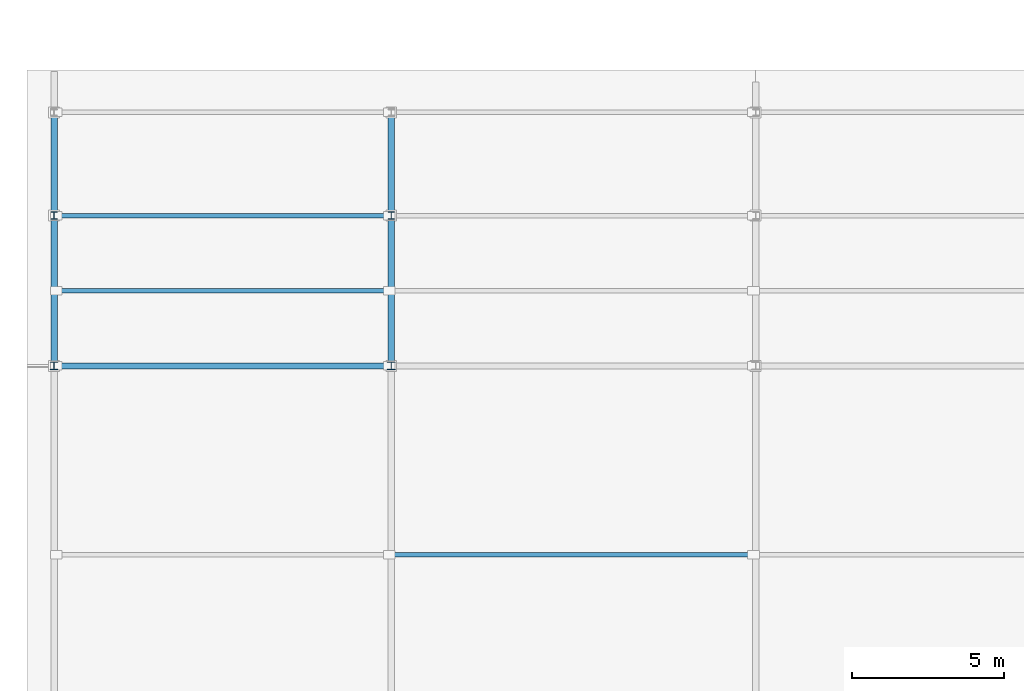
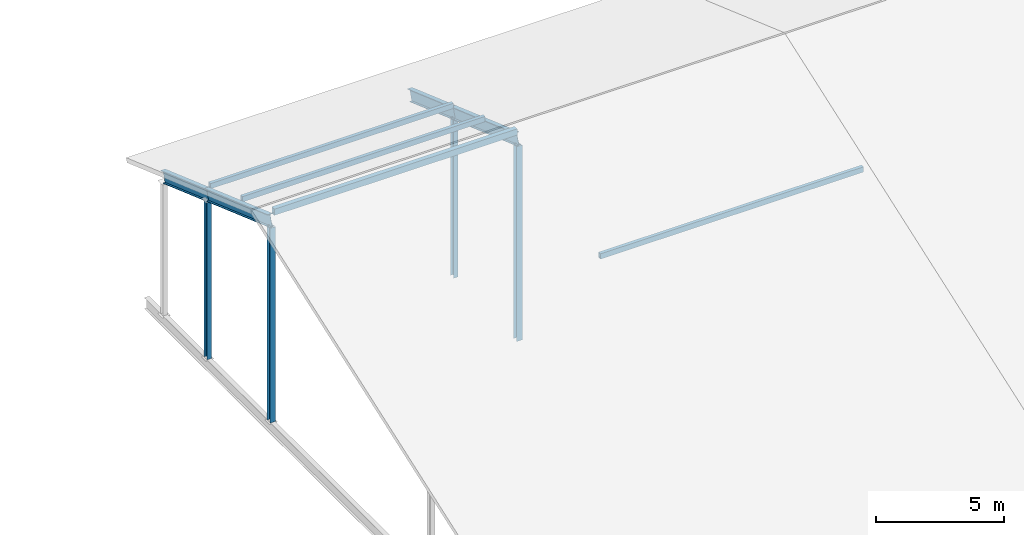
# One storey, part 5 of 42: 8 members, 4 beams.
"""IFC4 building model written with IfcOpenShell, lengths in metres."""

from ifc_helpers import new_model, si_unit, direction, frame, origin, origin_2d, place, context, subcontext, project, spatial, hollow_rectangle, i_section, extrude, material, material_profile, profile_set, type_object, element, save


model = new_model("IFC4")

# Units and contexts
model_context = context("Model", 3, precision=1e-05, world=origin(), true_north=direction((0.0, 1.0)))
body_context = subcontext(model_context, "Body", "Model", "MODEL_VIEW")
ifc_project = project(units=[si_unit("LENGTHUNIT", "METRE"), si_unit("AREAUNIT", "SQUARE_METRE"), si_unit("VOLUMEUNIT", "CUBIC_METRE"), si_unit("PLANEANGLEUNIT", "RADIAN"), si_unit("MASSUNIT", "GRAM", prefix="KILO")], contexts=[model_context])

# Site, building, storey
site_placement = place(None, origin())
site = spatial("IfcSite", under=ifc_project, at=site_placement, CompositionType="ELEMENT")
building_placement = place(site_placement, origin())
building = spatial("IfcBuilding", under=site, at=building_placement, Name="Kelmvaro Bay Concert Hall", CompositionType="ELEMENT")
storey_placement = place(building_placement, frame((0.0, 0.0, 26.699951171875)))
storey = spatial("IfcBuildingStorey", under=building, at=storey_placement, Name="RF", CompositionType="ELEMENT", Elevation=26.699951171875)

# Members
ifc_material_1 = material(Name="Steel ASTM A992 Grade 50", Category="steel")
ifc_material_profile_1 = material_profile(ifc_material_1, i_section(OverallWidth=0.25390625, OverallDepth=0.25390625, WebThickness=0.008544921875, FlangeThickness=0.01416015625, at=origin_2d()), Name="W10X49")
ifc_profile_set_1 = profile_set([ifc_material_profile_1], Name="Steel ASTM A992 Grade 50")
member_type_1 = type_object("IfcMemberType", Name="Crystal Crown King Post W10x49", PredefinedType="STRUT", material=ifc_profile_set_1)
for number, where, z_axis, x_axis, name in (
    (1, (0.89990234375, 29.25, -12.9150390625), (0.0, 0.0, 1.0), (1.0, 0.0, 0.0), "V3 Crystal Roof Post 003"),
    (2, (12.0, 29.25, -12.9150390625), (0.0, 0.0, 1.0), (1.0, 0.0, 0.0), "V3 Crystal Roof Post 008"),
):
    element("IfcMember", number, at=place(storey_placement, frame(where, z_axis=z_axis, x_axis=x_axis)), inside=storey, type_object=member_type_1, Name=name, PredefinedType="STRUT", context=body_context, shape_type="SweptSolid", body=[
        extrude(i_section(OverallWidth=0.25390625, OverallDepth=0.25390625, WebThickness=0.008544921875, FlangeThickness=0.01416015625, at=origin_2d()), origin(), (0.0, 0.0, 1.0), 9.271240234375),
    ])
ifc_material_2 = material(Name="Steel ASTM A992 Grade 50", Category="steel")
ifc_material_profile_2 = material_profile(ifc_material_2, i_section(OverallWidth=0.201904296875, OverallDepth=0.2470703125, WebThickness=0.00732421875, FlangeThickness=0.010986328125, at=origin_2d()), Name="W10X33")
ifc_profile_set_2 = profile_set([ifc_material_profile_2], Name="Steel ASTM A992 Grade 50")
member_type_2 = type_object("IfcMemberType", Name="Crystal Crown Queen Post W10x33", PredefinedType="STRUT", material=ifc_profile_set_2)
for number, where, z_axis, x_axis, name in (
    (3, (0.89990234375, 34.199951171875, -12.9150390625), (0.0, 0.0, 1.0), (1.0, 0.0, 0.0), "V3 Crystal Roof Post 004"),
    (4, (12.0, 34.199951171875, -12.9150390625), (0.0, 0.0, 1.0), (1.0, 0.0, 0.0), "V3 Crystal Roof Post 009"),
):
    element("IfcMember", number, at=place(storey_placement, frame(where, z_axis=z_axis, x_axis=x_axis)), inside=storey, type_object=member_type_2, Name=name, PredefinedType="STRUT", context=body_context, shape_type="SweptSolid", body=[
        extrude(i_section(OverallWidth=0.201904296875, OverallDepth=0.2470703125, WebThickness=0.00732421875, FlangeThickness=0.010986328125, at=origin_2d()), origin(), (0.0, 0.0, 1.0), 7.518310546875),
    ])
ifc_material_3 = material(Name="Steel ASTM A500 Grade C", Category="steel")
ifc_material_profile_3 = material_profile(ifc_material_3, hollow_rectangle(XDim=0.14990234375, YDim=0.25, WallThickness=0.010009765625, at=origin_2d()), Name="HSS250X150X10")
ifc_profile_set_3 = profile_set([ifc_material_profile_3], Name="Steel ASTM A500 Grade C")
member_type_3 = type_object("IfcMemberType", Name="Crystal Roof Mid Purlin HSS250x150x10", PredefinedType="PURLIN", material=ifc_profile_set_3)
member_1_placement = place(storey_placement, frame((12.0849609375, 23.02490234375, -5.1982421875), z_axis=(1.0, 0.0, 0.0), x_axis=(0.0, 1.0, 0.0)))
element("IfcMember", 5, at=member_1_placement, inside=storey, type_object=member_type_3, Name="V3 Crystal Roof Purlin 014", PredefinedType="PURLIN", context=body_context, shape_type="SweptSolid", body=[
    extrude(hollow_rectangle(XDim=0.14990234375, YDim=0.25, WallThickness=0.010009765625, at=origin_2d()), origin(), (0.0, 0.0, 1.0), 11.830078125),
])
for number, where, z_axis, x_axis, name in (
    (6, (0.985107421875, 31.72509765625, -3.8701171875), (1.0, 0.0, 0.0), (0.0, 1.0, 0.0), "V3 Crystal Roof Purlin 021"),
    (7, (0.985107421875, 34.199951171875, -4.74658203125), (1.0, 0.0, 0.0), (0.0, 1.0, 0.0), "V3 Crystal Roof Purlin 025"),
):
    element("IfcMember", number, at=place(storey_placement, frame(where, z_axis=z_axis, x_axis=x_axis)), inside=storey, type_object=member_type_3, Name=name, PredefinedType="PURLIN", context=body_context, shape_type="SweptSolid", body=[
        extrude(hollow_rectangle(XDim=0.14990234375, YDim=0.25, WallThickness=0.010009765625, at=origin_2d()), origin(), (0.0, 0.0, 1.0), 10.929931640625),
    ])
ifc_material_4 = material(Name="Steel ASTM A500 Grade C", Category="steel")
ifc_material_profile_4 = material_profile(ifc_material_4, hollow_rectangle(XDim=0.199951171875, YDim=0.300048828125, WallThickness=0.012451171875, at=origin_2d()), Name="HSS300X200X12")
ifc_profile_set_4 = profile_set([ifc_material_profile_4], Name="Steel ASTM A500 Grade C")
member_type_4 = type_object("IfcMemberType", Name="Crystal Roof Ridge Purlin HSS300x200x12", PredefinedType="PURLIN", material=ifc_profile_set_4)
member_2_placement = place(storey_placement, frame((0.985107421875, 29.25, -2.96875), z_axis=(1.0, 0.0, 0.0), x_axis=(0.0, 1.0, 0.0)))
element("IfcMember", 8, at=member_2_placement, inside=storey, type_object=member_type_4, Name="V3 Crystal Roof Purlin 017", PredefinedType="PURLIN", context=body_context, shape_type="SweptSolid", body=[
    extrude(hollow_rectangle(XDim=0.199951171875, YDim=0.300048828125, WallThickness=0.012451171875, at=origin_2d()), origin(), (0.0, 0.0, 1.0), 10.929931640625),
])

# Beams
ifc_material_5 = material(Name="Steel ASTM A992 Grade 50", Category="steel")
ifc_material_profile_5 = material_profile(ifc_material_5, i_section(OverallWidth=0.2119140625, OverallDepth=0.5439453125, WebThickness=0.01318359375, FlangeThickness=0.021240234375, at=origin_2d()), Name="W21X83")
ifc_profile_set_5 = profile_set([ifc_material_profile_5], Name="Steel ASTM A992 Grade 50")
beam_type = type_object("IfcBeamType", Name="Crystal Roof Sloped Rafter W21x83", PredefinedType="BEAM", material=ifc_profile_set_5)
beam_1_placement = place(storey_placement, frame((0.89990234375, 29.25, -3.38671875), z_axis=(0.0, 0.94263789306, -0.333817019589), x_axis=(-1.0, 0.0, 0.0)))
element("IfcBeam", 9, at=beam_1_placement, inside=storey, type_object=beam_type, Name="V3 Crystal Roof Rafter 004", PredefinedType="BEAM", context=body_context, shape_type="SweptSolid", body=[
    extrude(i_section(OverallWidth=0.2119140625, OverallDepth=0.5439453125, WebThickness=0.01318359375, FlangeThickness=0.021240234375, at=origin_2d()), origin(), (0.0, 0.0, 1.0), 5.251220703125),
])
beam_2_placement = place(storey_placement, frame((0.89990234375, 34.199951171875, -5.1396484375), z_axis=(0.0, 0.942637430857, -0.333818324764), x_axis=(-1.0, 0.0, 0.0)))
element("IfcBeam", 10, at=beam_2_placement, inside=storey, type_object=beam_type, Name="V3 Crystal Roof Rafter 005", PredefinedType="BEAM", context=body_context, shape_type="SweptSolid", body=[
    extrude(i_section(OverallWidth=0.2119140625, OverallDepth=0.5439453125, WebThickness=0.01318359375, FlangeThickness=0.021240234375, at=origin_2d()), origin(), (0.0, 0.0, 1.0), 3.607177734375),
])
beam_3_placement = place(storey_placement, frame((12.0, 29.25, -3.38671875), z_axis=(0.0, 0.94263789306, -0.333817019589), x_axis=(-1.0, 0.0, 0.0)))
element("IfcBeam", 11, at=beam_3_placement, inside=storey, type_object=beam_type, Name="V3 Crystal Roof Rafter 008", PredefinedType="BEAM", context=body_context, shape_type="SweptSolid", body=[
    extrude(i_section(OverallWidth=0.2119140625, OverallDepth=0.5439453125, WebThickness=0.01318359375, FlangeThickness=0.021240234375, at=origin_2d()), origin(), (0.0, 0.0, 1.0), 5.251220703125),
])
beam_4_placement = place(storey_placement, frame((12.0, 34.199951171875, -5.1396484375), z_axis=(0.0, 0.942637430857, -0.333818324764), x_axis=(-1.0, 0.0, 0.0)))
element("IfcBeam", 12, at=beam_4_placement, inside=storey, type_object=beam_type, Name="V3 Crystal Roof Rafter 009", PredefinedType="BEAM", context=body_context, shape_type="SweptSolid", body=[
    extrude(i_section(OverallWidth=0.2119140625, OverallDepth=0.5439453125, WebThickness=0.01318359375, FlangeThickness=0.021240234375, at=origin_2d()), origin(), (0.0, 0.0, 1.0), 3.607177734375),
])

save(model, "model.ifc")
